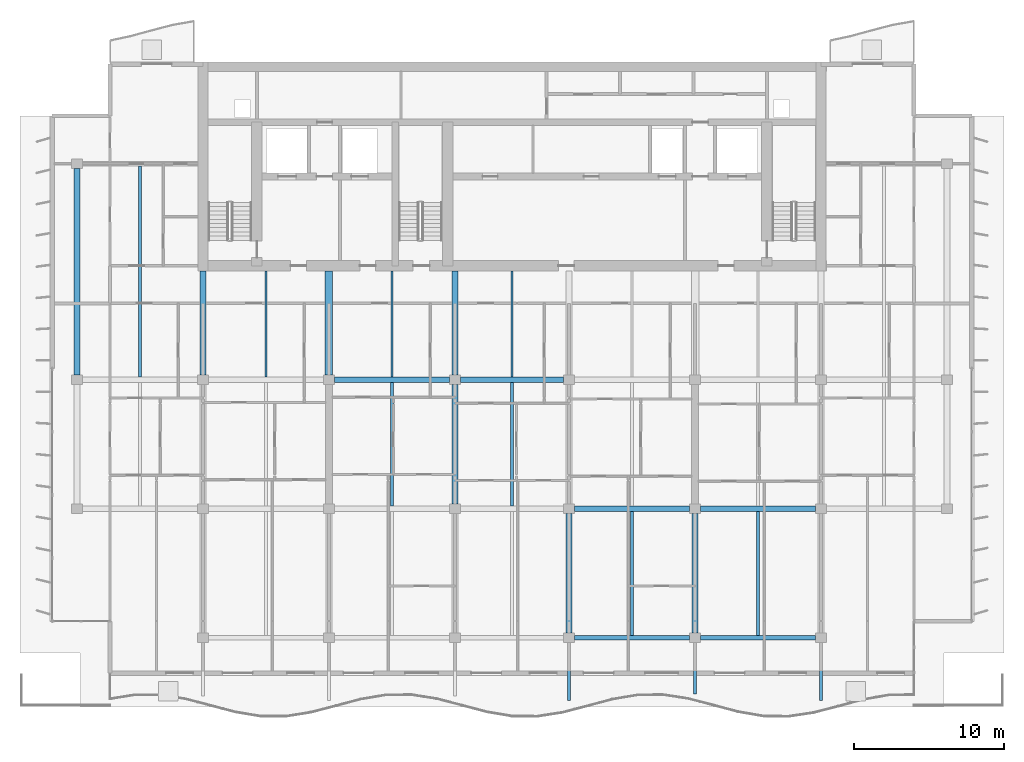
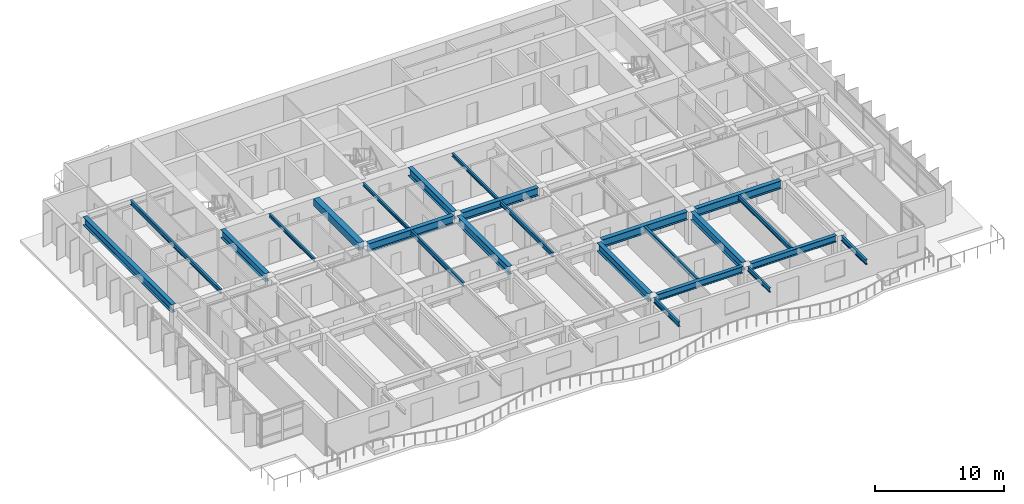
# One storey, part 3 of 17: 24 beams.
"""IFC4 building model written with IfcOpenShell, lengths in metres."""

import ifcopenshell
import ifcopenshell.guid

model = None  # the IFC model being written
_history = None  # IfcOwnerHistory: only IFC2X3 demands one
_inside = {}  # id of a spatial element -> (the spatial element, [elements in it])
_under = {}  # id of a project, library or spatial element -> (it, [spatial elements below it])
_declared = {}  # id of a project -> (the project, [libraries it declares])
_typed = {}  # id of a type object -> (the type object, [elements of that type])
_made_of = {}  # id of a material, layer set ... -> (it, [elements and type objects made of it])


def new_model(schema):
    """Start an empty IFC model of exactly this schema.

    Asked for "IFC4X3", IfcOpenShell would pick the latest addendum, in which some entities
    have other attributes; the version numbers below select the first issue.
    IFC2X3 requires an IfcOwnerHistory on every rooted entity: one is made here for all.
    """
    global model, _history
    if schema == "IFC4X3":
        model = ifcopenshell.file(schema_version=(4, 3, 0, 0))
    else:
        model = ifcopenshell.file(schema=schema)
    _inside.clear()
    _under.clear()
    _declared.clear()
    _typed.clear()
    _made_of.clear()
    _history = None
    if model.schema == "IFC2X3":
        org = make("IfcOrganization", Name="unknown")
        user = make(
            "IfcPersonAndOrganization",
            ThePerson=make("IfcPerson", FamilyName="unknown"),
            TheOrganization=org,
        )
        app = make(
            "IfcApplication",
            ApplicationDeveloper=org,
            Version="unknown",
            ApplicationFullName="unknown",
            ApplicationIdentifier="unknown",
        )
        _history = make(
            "IfcOwnerHistory",
            OwningUser=user,
            OwningApplication=app,
            ChangeAction="ADDED",
            CreationDate=0,
        )
    return model


def make(cls, **values):
    """One entity of the class cls with the attributes given. An attribute that is None is left unset."""
    return model.create_entity(
        cls, **{name: value for name, value in values.items() if value is not None}
    )


def rooted(cls, **values):
    """An entity with a GlobalId (a new one), such as an element, a storey or a relation."""
    return make(cls, GlobalId=ifcopenshell.guid.new(), OwnerHistory=_history, **values)


def si_unit(unit_type, name, prefix=None):
    """IfcSIUnit, for example si_unit("LENGTHUNIT", "METRE", prefix="MILLI")."""
    return make("IfcSIUnit", UnitType=unit_type, Prefix=prefix, Name=name)


def assignment(units):
    """IfcUnitAssignment: the units of a project."""
    return None if units is None else make("IfcUnitAssignment", Units=units)


def point(xyz):
    """IfcCartesianPoint."""
    return None if xyz is None else make("IfcCartesianPoint", Coordinates=xyz)


def direction(xyz):
    """IfcDirection."""
    return None if xyz is None else make("IfcDirection", DirectionRatios=xyz)


def frame(location, z_axis=None, x_axis=None):
    """IfcAxis2Placement3D, a coordinate frame: its origin and axes. An axis left out is left unset."""
    return make(
        "IfcAxis2Placement3D",
        Location=point(location),
        Axis=direction(z_axis),
        RefDirection=direction(x_axis),
    )


def frame_2d(location, x_axis=None):
    """IfcAxis2Placement2D, a coordinate frame in the plane: its origin and x axis."""
    return make(
        "IfcAxis2Placement2D", Location=point(location), RefDirection=direction(x_axis)
    )


def origin():
    """The frame at (0, 0, 0) with its axes left unset."""
    return frame((0.0, 0.0, 0.0))


def origin_2d():
    """The frame at (0, 0) in the plane with its x axis left unset."""
    return frame_2d((0.0, 0.0))


def place(relative_to, where):
    """IfcLocalPlacement: puts the frame where relative to a parent placement (None: the world)."""
    return make(
        "IfcLocalPlacement", PlacementRelTo=relative_to, RelativePlacement=where
    )


def context(
    kind, dimensions, precision=None, world=None, true_north=None, identifier=None
):
    """IfcGeometricRepresentationContext, for example the 3D "Model" context."""
    return make(
        "IfcGeometricRepresentationContext",
        ContextIdentifier=identifier,
        ContextType=kind,
        CoordinateSpaceDimension=dimensions,
        Precision=precision,
        WorldCoordinateSystem=world,
        TrueNorth=true_north,
    )


def subcontext(parent, identifier, kind, view, scale=None):
    """IfcGeometricRepresentationSubContext, for example "Body" below "Model"."""
    return make(
        "IfcGeometricRepresentationSubContext",
        ContextIdentifier=identifier,
        ContextType=kind,
        ParentContext=parent,
        TargetScale=scale,
        TargetView=view,
    )


def project(units=None, contexts=None):
    """IfcProject with its units and contexts."""
    return rooted(
        "IfcProject",
        Name="project",
        RepresentationContexts=contexts,
        UnitsInContext=assignment(units),
    )


def spatial(cls, under=None, at=None, **own):
    """A site, building, storey or space (cls), placed at a placement, below another one or the project."""
    s = rooted(cls, ObjectPlacement=at, **own)
    if under is not None:
        _under.setdefault(under.id(), (under, []))[1].append(s)
    return s


def profile(cls, at=None, kind="AREA", **sizes):
    """A parametric profile (cls). Its sizes go by their IFC names, for example OverallWidth=200.0."""
    return make(cls, ProfileType=kind, Position=at, **sizes)


def rectangle(**sizes):
    """IfcRectangleProfileDef."""
    return profile("IfcRectangleProfileDef", **sizes)


def i_section(**sizes):
    """IfcIShapeProfileDef."""
    return profile("IfcIShapeProfileDef", **sizes)


def extrude(swept, where, along, depth):
    """IfcExtrudedAreaSolid: the profile swept, set in the frame where, extruded along a direction by depth."""
    return make(
        "IfcExtrudedAreaSolid",
        SweptArea=swept,
        Position=where,
        ExtrudedDirection=direction(along),
        Depth=depth,
    )


def shape(context_of_items, identifier, shape_type, items):
    """IfcShapeRepresentation: the items that make up one representation, for example the "Body"."""
    return make(
        "IfcShapeRepresentation",
        ContextOfItems=context_of_items,
        RepresentationIdentifier=identifier,
        RepresentationType=shape_type,
        Items=items,
    )


def material(Name=None, Category=None):
    """IfcMaterial."""
    return make("IfcMaterial", Name=Name, Category=Category)


def material_profile(
    of_material, cross_section, Name=None, Category=None, Priority=None
):
    """IfcMaterialProfile: a cross section and its material."""
    return make(
        "IfcMaterialProfile",
        Name=Name,
        Material=of_material,
        Profile=cross_section,
        Priority=Priority,
        Category=Category,
    )


def profile_set(profiles, Name=None, composite=None):
    """IfcMaterialProfileSet."""
    return make(
        "IfcMaterialProfileSet",
        Name=Name,
        MaterialProfiles=profiles,
        CompositeProfile=composite,
    )


def made_of(thing, what):
    """Note that an element or type object is made of a material, layer set ...; save() writes the relation."""
    if what is not None:
        _made_of.setdefault(what.id(), (what, []))[1].append(thing)
    return thing


def type_object(cls, material=None, **own):
    """A type object (cls), such as IfcWallType, which elements share."""
    return made_of(rooted(cls, **own), material)


def element(
    cls,
    number,
    at=None,
    inside=None,
    cuts=None,
    type_object=None,
    material=None,
    context=None,
    identifier="Body",
    shape_type=None,
    held_by="IfcProductDefinitionShape",
    body=None,
    shapes=None,
    **own,
):
    """One element of the class cls, such as IfcWall. Its Tag is "e" and its number.

    at: its placement. inside: the storey or other place that contains it. cuts: it is an
    opening in that element (IfcRelVoidsElement). A single representation is given by context,
    identifier, shape_type and body (its items); several are given by shapes. held_by: the class
    of the entity that holds the representations. save() writes the other relations.
    """
    e = rooted(cls, Tag="e%d" % number, ObjectPlacement=at, **own)
    if body is not None:
        shapes = [shape(context, identifier, shape_type, body)]
    if shapes is not None:
        e.Representation = make(held_by, Representations=shapes)
    if inside is not None:
        _inside.setdefault(inside.id(), (inside, []))[1].append(e)
    if cuts is not None:
        rooted(
            "IfcRelVoidsElement", RelatingBuildingElement=cuts, RelatedOpeningElement=e
        )
    if type_object is not None:
        _typed.setdefault(type_object.id(), (type_object, []))[1].append(e)
    return made_of(e, material)


def aggregate(whole, parts):
    """IfcRelAggregates: a whole, such as a stair, and the parts it consists of."""
    return rooted("IfcRelAggregates", RelatingObject=whole, RelatedObjects=parts)


def save(model, path):
    """Write the relations noted so far, then the file.

    IfcRelAggregates (storeys below a building ...), IfcRelContainedInSpatialStructure (elements
    in a storey), IfcRelDefinesByType, IfcRelAssociatesMaterial and IfcRelDeclares: one each for
    every whole, place, type object, material and project.
    """
    for whole, parts in _under.values():
        aggregate(whole, parts)
    for where, things in _inside.values():
        rooted(
            "IfcRelContainedInSpatialStructure",
            RelatedElements=things,
            RelatingStructure=where,
        )
    for kind, things in _typed.values():
        rooted("IfcRelDefinesByType", RelatedObjects=things, RelatingType=kind)
    for what, things in _made_of.values():
        rooted("IfcRelAssociatesMaterial", RelatedObjects=things, RelatingMaterial=what)
    for by, libraries in _declared.values():
        rooted("IfcRelDeclares", RelatingContext=by, RelatedDefinitions=libraries)
    model.write(path)


model = new_model("IFC4")

# Units and contexts
model_context = context("Model", 3, precision=1e-05, world=origin(), true_north=direction((0.0, 1.0)))
body_context = subcontext(model_context, "Body", "Model", "MODEL_VIEW")
ifc_project = project(units=[si_unit("LENGTHUNIT", "METRE"), si_unit("AREAUNIT", "SQUARE_METRE"), si_unit("VOLUMEUNIT", "CUBIC_METRE"), si_unit("PLANEANGLEUNIT", "RADIAN"), si_unit("MASSUNIT", "GRAM", prefix="KILO")], contexts=[model_context])

# Site, building, storey
site_placement = place(None, origin())
site = spatial("IfcSite", under=ifc_project, at=site_placement, CompositionType="ELEMENT")
building_placement = place(site_placement, origin())
building = spatial("IfcBuilding", under=site, at=building_placement, Name="Caelmar Bay Residences", CompositionType="ELEMENT")
storey_placement = place(building_placement, frame((0.0, 0.0, 226.5)))
storey = spatial("IfcBuildingStorey", under=building, at=storey_placement, Name="L63", CompositionType="ELEMENT", Elevation=226.5)

# Beams
ifc_material_1 = material(Name="Steel ASTM A992 Grade 50", Category="steel")
ifc_material_profile_1 = material_profile(ifc_material_1, i_section(OverallWidth=0.177978515625, OverallDepth=0.406005859375, WebThickness=0.0078125, FlangeThickness=0.0126953125, FilletRadius=0.0087890625, at=origin_2d()), Name="W16X40")
ifc_profile_set_1 = profile_set([ifc_material_profile_1], Name="Steel ASTM A992 Grade 50")
beam_type_1 = type_object("IfcBeamType", Name="BM-BAL-W16X40", PredefinedType="JOIST", material=ifc_profile_set_1)
for number, where, z_axis, x_axis, name in (
    (1, (46.89990234375, 12.362548828125, 2.846923828125), (0.0, 1.0, 0.0), (-1.0, 0.0, 0.0), "L63 Composite Floor Joist 4"),
    (2, (55.300048828125, 12.362548828125, 2.846923828125), (0.0, 1.0, 0.0), (-1.0, 0.0, 0.0), "L63 Composite Floor Joist 5"),
):
    element("IfcBeam", number, at=place(storey_placement, frame(where, z_axis=z_axis, x_axis=x_axis)), inside=storey, type_object=beam_type_1, Name=name, PredefinedType="JOIST", context=body_context, shape_type="SweptSolid", body=[
        extrude(i_section(OverallWidth=0.177978515625, OverallDepth=0.406005859375, WebThickness=0.0078125, FlangeThickness=0.0126953125, FilletRadius=0.0087890625, at=origin_2d()), origin(), (0.0, 0.0, 1.0), 8.2470703125),
    ])
for number, where, z_axis, x_axis, name in (
    (3, (30.89990234375, 20.990478515625, 2.846923828125), (0.0, 1.0, 0.0), (-1.0, 0.0, 0.0), "L63 Composite Floor Joist 8"),
    (4, (38.89990234375, 20.990478515625, 2.846923828125), (0.0, 1.0, 0.0), (-1.0, 0.0, 0.0), "L63 Composite Floor Joist 9"),
):
    element("IfcBeam", number, at=place(storey_placement, frame(where, z_axis=z_axis, x_axis=x_axis)), inside=storey, type_object=beam_type_1, Name=name, PredefinedType="JOIST", context=body_context, shape_type="SweptSolid", body=[
        extrude(i_section(OverallWidth=0.177978515625, OverallDepth=0.406005859375, WebThickness=0.0078125, FlangeThickness=0.0126953125, FilletRadius=0.0087890625, at=origin_2d()), origin(), (0.0, 0.0, 1.0), 8.218994140625),
    ])
beam_1_placement = place(storey_placement, frame((14.10009765625, 29.590576171875, 2.846923828125), z_axis=(0.0, 1.0, 0.0), x_axis=(-1.0, 0.0, 0.0)))
element("IfcBeam", 5, at=beam_1_placement, inside=storey, type_object=beam_type_1, Name="L63 Composite Floor Joist 18", PredefinedType="JOIST", context=body_context, shape_type="SweptSolid", body=[
    extrude(i_section(OverallWidth=0.177978515625, OverallDepth=0.406005859375, WebThickness=0.0078125, FlangeThickness=0.0126953125, FilletRadius=0.0087890625, at=origin_2d()), origin(), (0.0, 0.0, 1.0), 14.046875),
])
beam_2_placement = place(storey_placement, frame((51.10009765625, 11.885009765625, 2.846923828125), z_axis=(0.0, -1.0, 0.0), x_axis=(1.0, 0.0, 0.0)))
element("IfcBeam", 6, at=beam_2_placement, inside=storey, type_object=beam_type_1, Name="L64 South Balcony Cantilever Bracket 5", PredefinedType="JOIST", context=body_context, shape_type="SweptSolid", body=[
    extrude(i_section(OverallWidth=0.177978515625, OverallDepth=0.406005859375, WebThickness=0.0078125, FlangeThickness=0.0126953125, FilletRadius=0.0087890625, at=origin_2d()), origin(), (0.0, 0.0, 1.0), 3.42919921875),
])
ifc_material_profile_2 = material_profile(ifc_material_1, i_section(OverallWidth=0.193115234375, OverallDepth=0.467041015625, WebThickness=0.011474609375, FlangeThickness=0.01904296875, FilletRadius=0.01025390625, at=origin_2d()), Name="W18X65")
ifc_profile_set_2 = profile_set([ifc_material_profile_2], Name="Steel ASTM A992 Grade 50")
beam_type_2 = type_object("IfcBeamType", Name="BM-BAL-W18X65", PredefinedType="BEAM", material=ifc_profile_set_2)
for number, where, z_axis, x_axis, name in (
    (7, (42.699951171875, 11.885009765625, 2.81640625), (0.0, -1.0, 0.0), (1.0, 0.0, 0.0), "L64 South Balcony Cantilever Bracket 4"),
    (8, (59.5, 11.885009765625, 2.81640625), (0.0, -1.0, 0.0), (1.0, 0.0, 0.0), "L64 South Balcony Cantilever Bracket 6"),
):
    element("IfcBeam", number, at=place(storey_placement, frame(where, z_axis=z_axis, x_axis=x_axis)), inside=storey, type_object=beam_type_2, Name=name, PredefinedType="BEAM", context=body_context, shape_type="SweptSolid", body=[
        extrude(i_section(OverallWidth=0.193115234375, OverallDepth=0.467041015625, WebThickness=0.011474609375, FlangeThickness=0.01904296875, FilletRadius=0.01025390625, at=origin_2d()), origin(), (0.0, 0.0, 1.0), 3.85009765625),
    ])
ifc_material_profile_3 = material_profile(ifc_material_1, i_section(OverallWidth=0.381103515625, OverallDepth=0.77197265625, WebThickness=0.0166015625, FlangeThickness=0.027099609375, FilletRadius=0.0166015625, at=origin_2d()), Name="W30X173")
ifc_profile_set_3 = profile_set([ifc_material_profile_3], Name="Steel ASTM A992 Grade 50")
beam_type_3 = type_object("IfcBeamType", Name="BM-GRD-W30X173", PredefinedType="BEAM", material=ifc_profile_set_3)
beam_3_placement = place(storey_placement, frame((43.06494140625, 20.800048828125, 2.6640625), z_axis=(1.0, 0.0, 0.0), x_axis=(0.0, 1.0, 0.0)))
element("IfcBeam", 9, at=beam_3_placement, inside=storey, type_object=beam_type_3, Name="L63 East-West Girder Y=20.80 (42.7-51.1)", PredefinedType="BEAM", context=body_context, shape_type="SweptSolid", body=[
    extrude(i_section(OverallWidth=0.381103515625, OverallDepth=0.77197265625, WebThickness=0.0166015625, FlangeThickness=0.027099609375, FilletRadius=0.0166015625, at=origin_2d()), origin(), (0.0, 0.0, 1.0), 7.670166015625),
])
beam_4_placement = place(storey_placement, frame((51.465087890625, 20.800048828125, 2.6640625), z_axis=(1.0, 0.0, 0.0), x_axis=(0.0, 1.0, 0.0)))
element("IfcBeam", 10, at=beam_4_placement, inside=storey, type_object=beam_type_3, Name="L63 East-West Girder Y=20.80 (51.1-59.5)", PredefinedType="BEAM", context=body_context, shape_type="SweptSolid", body=[
    extrude(i_section(OverallWidth=0.381103515625, OverallDepth=0.77197265625, WebThickness=0.0166015625, FlangeThickness=0.027099609375, FilletRadius=0.0166015625, at=origin_2d()), origin(), (0.0, 0.0, 1.0), 7.669921875),
])
beam_5_placement = place(storey_placement, frame((27.06494140625, 29.39990234375, 2.6640625), z_axis=(1.0, 0.0, 0.0), x_axis=(0.0, 1.0, 0.0)))
element("IfcBeam", 11, at=beam_5_placement, inside=storey, type_object=beam_type_3, Name="L63 East-West Girder Y=29.40 (26.7-35.1)", PredefinedType="BEAM", context=body_context, shape_type="SweptSolid", body=[
    extrude(i_section(OverallWidth=0.381103515625, OverallDepth=0.77197265625, WebThickness=0.0166015625, FlangeThickness=0.027099609375, FilletRadius=0.0166015625, at=origin_2d()), origin(), (0.0, 0.0, 1.0), 7.670166015625),
])
beam_6_placement = place(storey_placement, frame((35.465087890625, 29.39990234375, 2.6640625), z_axis=(1.0, 0.0, 0.0), x_axis=(0.0, 1.0, 0.0)))
element("IfcBeam", 12, at=beam_6_placement, inside=storey, type_object=beam_type_3, Name="L63 East-West Girder Y=29.40 (35.1-42.7)", PredefinedType="BEAM", context=body_context, shape_type="SweptSolid", body=[
    extrude(i_section(OverallWidth=0.381103515625, OverallDepth=0.77197265625, WebThickness=0.0166015625, FlangeThickness=0.027099609375, FilletRadius=0.0166015625, at=origin_2d()), origin(), (0.0, 0.0, 1.0), 6.869873046875),
])
beam_7_placement = place(storey_placement, frame((9.89990234375, 29.715087890625, 2.6640625), z_axis=(0.0, 1.0, 0.0), x_axis=(-1.0, 0.0, 0.0)))
element("IfcBeam", 13, at=beam_7_placement, inside=storey, type_object=beam_type_3, Name="L63 North-South Girder X=9.90 (29.4-43.8)", PredefinedType="BEAM", context=body_context, shape_type="SweptSolid", body=[
    extrude(i_section(OverallWidth=0.381103515625, OverallDepth=0.77197265625, WebThickness=0.0166015625, FlangeThickness=0.027099609375, FilletRadius=0.0166015625, at=origin_2d()), origin(), (0.0, 0.0, 1.0), 13.77001953125),
])
for number, where, z_axis, x_axis, name in (
    (14, (18.300048828125, 29.715087890625, 2.6640625), (0.0, 1.0, 0.0), (-1.0, 0.0, 0.0), "L63 Core Tie Girder X=18.30"),
    (15, (35.10009765625, 29.715087890625, 2.6640625), (0.0, 1.0, 0.0), (-1.0, 0.0, 0.0), "L63 Core Tie Girder X=35.10"),
):
    element("IfcBeam", number, at=place(storey_placement, frame(where, z_axis=z_axis, x_axis=x_axis)), inside=storey, type_object=beam_type_3, Name=name, PredefinedType="BEAM", context=body_context, shape_type="SweptSolid", body=[
        extrude(i_section(OverallWidth=0.381103515625, OverallDepth=0.77197265625, WebThickness=0.0166015625, FlangeThickness=0.027099609375, FilletRadius=0.0166015625, at=origin_2d()), origin(), (0.0, 0.0, 1.0), 6.934814453125),
    ])
beam_8_placement = place(storey_placement, frame((35.10009765625, 21.114990234375, 2.6640625), z_axis=(0.0, 1.0, 0.0), x_axis=(-1.0, 0.0, 0.0)))
element("IfcBeam", 16, at=beam_8_placement, inside=storey, type_object=beam_type_3, Name="L63 North-South Girder X=35.10 (20.8-29.4)", PredefinedType="BEAM", context=body_context, shape_type="SweptSolid", body=[
    extrude(i_section(OverallWidth=0.381103515625, OverallDepth=0.77197265625, WebThickness=0.0166015625, FlangeThickness=0.027099609375, FilletRadius=0.0166015625, at=origin_2d()), origin(), (0.0, 0.0, 1.0), 7.969970703125),
])
for number, where, z_axis, x_axis, name in (
    (17, (42.699951171875, 12.514892578125, 2.6640625), (0.0, 1.0, 0.0), (-1.0, 0.0, 0.0), "L63 North-South Girder X=42.70 (12.2-20.8)"),
    (18, (51.10009765625, 12.514892578125, 2.6640625), (0.0, 1.0, 0.0), (-1.0, 0.0, 0.0), "L63 North-South Girder X=51.10 (12.2-20.8)"),
):
    element("IfcBeam", number, at=place(storey_placement, frame(where, z_axis=z_axis, x_axis=x_axis)), inside=storey, type_object=beam_type_3, Name=name, PredefinedType="BEAM", context=body_context, shape_type="SweptSolid", body=[
        extrude(i_section(OverallWidth=0.381103515625, OverallDepth=0.77197265625, WebThickness=0.0166015625, FlangeThickness=0.027099609375, FilletRadius=0.0166015625, at=origin_2d()), origin(), (0.0, 0.0, 1.0), 7.97021484375),
    ])
ifc_material_profile_4 = material_profile(ifc_material_1, i_section(OverallWidth=0.1650390625, OverallDepth=0.31005859375, WebThickness=0.005859375, FlangeThickness=0.009765625, FilletRadius=0.007568359375, at=origin_2d()), Name="W12X26")
ifc_profile_set_4 = profile_set([ifc_material_profile_4], Name="Steel ASTM A992 Grade 50")
beam_type_4 = type_object("IfcBeamType", Name="BM-JST-W12X26", PredefinedType="JOIST", material=ifc_profile_set_4)
for number, where, z_axis, x_axis, name in (
    (19, (22.5, 29.590576171875, 2.89501953125), (0.0, 1.0, 0.0), (-1.0, 0.0, 0.0), "L63 Core-Band Composite Joist 13"),
    (20, (30.89990234375, 29.590576171875, 2.89501953125), (0.0, 1.0, 0.0), (-1.0, 0.0, 0.0), "L63 Core-Band Composite Joist 14"),
    (21, (38.89990234375, 29.590576171875, 2.89501953125), (0.0, 1.0, 0.0), (-1.0, 0.0, 0.0), "L63 Core-Band Composite Joist 15"),
):
    element("IfcBeam", number, at=place(storey_placement, frame(where, z_axis=z_axis, x_axis=x_axis)), inside=storey, type_object=beam_type_4, Name=name, PredefinedType="JOIST", context=body_context, shape_type="SweptSolid", body=[
        extrude(i_section(OverallWidth=0.1650390625, OverallDepth=0.31005859375, WebThickness=0.005859375, FlangeThickness=0.009765625, FilletRadius=0.007568359375, at=origin_2d()), origin(), (0.0, 0.0, 1.0), 7.059326171875),
    ])
ifc_material_2 = material(Name="Concrete f'c 55 MPa (8,000 psi)", Category="concrete")
ifc_material_profile_5 = material_profile(ifc_material_2, rectangle(XDim=0.5, YDim=0.699951171875, at=origin_2d()), Name="RC-BM-500X700")
ifc_profile_set_5 = profile_set([ifc_material_profile_5], Name="Concrete f'c 55 MPa (8,000 psi)")
beam_type_5 = type_object("IfcBeamType", Name="BM-RC-500X700", PredefinedType="LINTEL", material=ifc_profile_set_5)
beam_9_placement = place(storey_placement, frame((26.699951171875, 29.715087890625, 2.699951171875), z_axis=(0.0, 1.0, 0.0), x_axis=(-1.0, 0.0, 0.0)))
element("IfcBeam", 22, at=beam_9_placement, inside=storey, type_object=beam_type_5, Name="L63 Shear-Wall Corridor Coupling Lintel W5", PredefinedType="LINTEL", context=body_context, shape_type="SweptSolid", body=[
    extrude(rectangle(XDim=0.5, YDim=0.699951171875, at=origin_2d()), origin(), (0.0, 0.0, 1.0), 6.934814453125),
])
ifc_material_profile_6 = material_profile(ifc_material_1, i_section(OverallWidth=0.324951171875, OverallDepth=0.616943359375, WebThickness=0.013916015625, FlangeThickness=0.021484375, FilletRadius=0.0126953125, at=origin_2d()), Name="W24X117")
ifc_profile_set_6 = profile_set([ifc_material_profile_6], Name="Steel ASTM A992 Grade 50")
beam_type_6 = type_object("IfcBeamType", Name="BM-SPN-W24X117", PredefinedType="SPANDREL", material=ifc_profile_set_6)
beam_10_placement = place(storey_placement, frame((43.06494140625, 12.199951171875, 2.741455078125), z_axis=(1.0, 0.0, 0.0), x_axis=(0.0, 1.0, 0.0)))
element("IfcBeam", 23, at=beam_10_placement, inside=storey, type_object=beam_type_6, Name="L63 East-West Girder Y=12.20 (42.7-51.1)", PredefinedType="SPANDREL", context=body_context, shape_type="SweptSolid", body=[
    extrude(i_section(OverallWidth=0.324951171875, OverallDepth=0.616943359375, WebThickness=0.013916015625, FlangeThickness=0.021484375, FilletRadius=0.0126953125, at=origin_2d()), origin(), (0.0, 0.0, 1.0), 7.670166015625),
])
beam_11_placement = place(storey_placement, frame((51.465087890625, 12.199951171875, 2.741455078125), z_axis=(1.0, 0.0, 0.0), x_axis=(0.0, 1.0, 0.0)))
element("IfcBeam", 24, at=beam_11_placement, inside=storey, type_object=beam_type_6, Name="L63 East-West Girder Y=12.20 (51.1-59.5)", PredefinedType="SPANDREL", context=body_context, shape_type="SweptSolid", body=[
    extrude(i_section(OverallWidth=0.324951171875, OverallDepth=0.616943359375, WebThickness=0.013916015625, FlangeThickness=0.021484375, FilletRadius=0.0126953125, at=origin_2d()), origin(), (0.0, 0.0, 1.0), 7.669921875),
])

save(model, "model.ifc")
